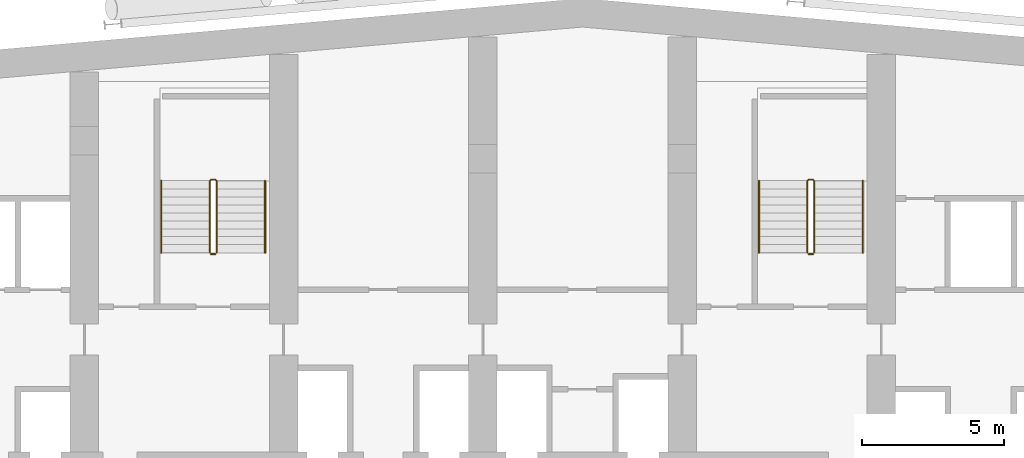
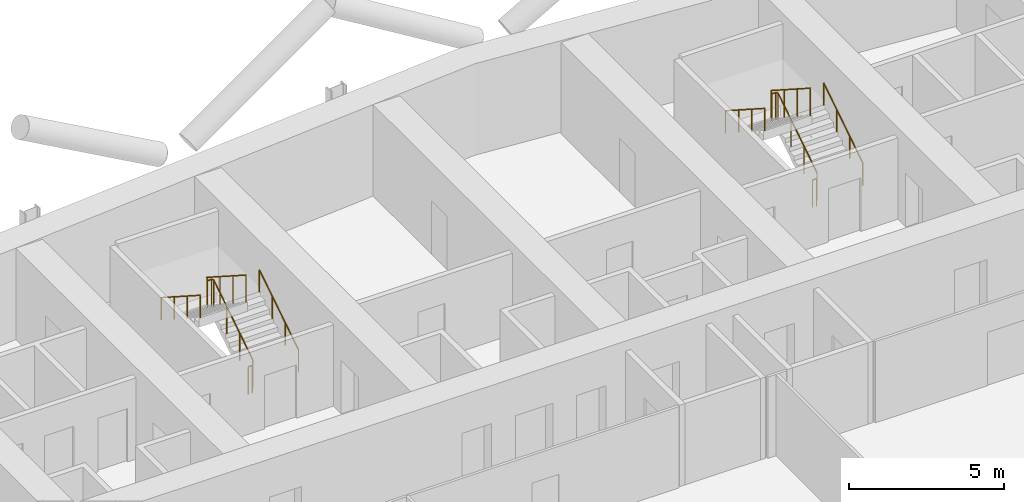
# One storey, part 27 of 28: 8 railings.
"""IFC4 building model written with IfcOpenShell, lengths in metres."""

from ifc_helpers import new_model, si_unit, direction, frame, origin, origin_2d, place, context, subcontext, project, spatial, circle, extrude, material, type_object, element, save


model = new_model("IFC4")

# Units and contexts
model_context = context("Model", 3, precision=1e-05, world=origin(), true_north=direction((0.0, 1.0)))
body_context = subcontext(model_context, "Body", "Model", "MODEL_VIEW")
ifc_project = project(units=[si_unit("LENGTHUNIT", "METRE"), si_unit("AREAUNIT", "SQUARE_METRE"), si_unit("VOLUMEUNIT", "CUBIC_METRE"), si_unit("PLANEANGLEUNIT", "RADIAN"), si_unit("MASSUNIT", "GRAM", prefix="KILO")], contexts=[model_context])

# Site, building, storey
site_placement = place(None, origin())
site = spatial("IfcSite", under=ifc_project, at=site_placement, CompositionType="ELEMENT")
building_placement = place(site_placement, origin())
building = spatial("IfcBuilding", under=site, at=building_placement, Name="Wharfspan Tower", CompositionType="ELEMENT")
storey_placement = place(building_placement, frame((0.0, 0.0, 132.699951)))
storey = spatial("IfcBuildingStorey", under=building, at=storey_placement, Name="L31", CompositionType="ELEMENT", Elevation=132.699951)

# Railings
ifc_material = material(Name="Steel S355J2", Category="steel")
railing_type_1 = type_object("IfcRailingType", Name="Stair guard 1100", PredefinedType="GUARDRAIL", material=ifc_material)
railing_1_placement = place(storey_placement, frame((27.649902, 42.0, 0.179932)))
element("IfcRailing", 1, at=railing_1_placement, inside=storey, type_object=railing_type_1, Name="L31 ST1 stair guard 1", PredefinedType="GUARDRAIL", context=body_context, shape_type="SweptSolid", body=[
    extrude(circle(Radius=0.023926, at=origin_2d()), frame((0.0, 0.0, 1.076172), z_axis=(0.0, 0.841163, 0.540782), x_axis=(-1.0, 0.0, 0.0)), (0.0, 0.0, 1.0), 2.99585),
    extrude(circle(Radius=0.023926, at=origin_2d()), frame((0.0, 2.52002, 2.696289), z_axis=(-0.705376, 0.708834, 0.0), x_axis=(-0.708834, -0.705376, 0.0)), (0.0, 0.0, 1.0), 0.070557),
    extrude(circle(Radius=0.023926, at=origin_2d()), frame((-0.049805, 2.570068, 2.696289), z_axis=(-1.0, 0.0, 0.0), x_axis=(0.0, -1.0, 0.0)), (0.0, 0.0, 1.0), 0.150146),
    extrude(circle(Radius=0.023926, at=origin_2d()), frame((-0.199951, 2.570068, 2.696289), z_axis=(-0.258848, -0.258848, 0.930589), x_axis=(0.707107, -0.707107, 0.0)), (0.0, 0.0, 1.0), 0.193359),
    extrude(circle(Radius=0.023926, at=origin_2d()), frame((-0.25, 2.52002, 2.875977), z_axis=(0.0, -0.841163, 0.540782), x_axis=(1.0, 0.0, 0.0)), (0.0, 0.0, 1.0), 2.99585),
    extrude(circle(Radius=0.020996, at=origin_2d()), origin(), (0.0, 0.0, 1.0), 1.052002),
    extrude(circle(Radius=0.020996, at=origin_2d()), frame((0.0, 0.840088, 0.540039)), (0.0, 0.0, 1.0), 1.052002),
    extrude(circle(Radius=0.020996, at=origin_2d()), frame((0.0, 1.679932, 1.080078)), (0.0, 0.0, 1.0), 1.052002),
    extrude(circle(Radius=0.020996, at=origin_2d()), frame((0.0, 2.52002, 1.620117)), (0.0, 0.0, 1.0), 1.052002),
    extrude(circle(Radius=0.020996, at=origin_2d()), frame((-0.049805, 2.570068, 1.620117)), (0.0, 0.0, 1.0), 1.052002),
    extrude(circle(Radius=0.020996, at=origin_2d()), frame((-0.199951, 2.570068, 1.620117)), (0.0, 0.0, 1.0), 1.052002),
    extrude(circle(Radius=0.020996, at=origin_2d()), frame((-0.25, 2.52002, 1.800049)), (0.0, 0.0, 1.0), 1.052002),
    extrude(circle(Radius=0.020996, at=origin_2d()), frame((-0.25, 1.679932, 2.340088)), (0.0, 0.0, 1.0), 1.052002),
    extrude(circle(Radius=0.020996, at=origin_2d()), frame((-0.25, 0.840088, 2.880127)), (0.0, 0.0, 1.0), 1.052002),
    extrude(circle(Radius=0.020996, at=origin_2d()), frame((-0.25, 0.0, 3.420166)), (0.0, 0.0, 1.0), 1.052002),
])
railing_2_placement = place(storey_placement, frame((27.600098, 41.949951, 0.0)))
element("IfcRailing", 2, at=railing_2_placement, inside=storey, type_object=railing_type_1, Name="L31 ST1 stair guard 2", PredefinedType="GUARDRAIL", context=body_context, shape_type="SweptSolid", body=[
    extrude(circle(Radius=0.023926, at=origin_2d()), frame((0.0, 0.0, 1.076172), z_axis=(-1.0, 0.0, 0.0), x_axis=(0.0, -1.0, 0.0)), (0.0, 0.0, 1.0), 0.150146),
    extrude(circle(Radius=0.020996, at=origin_2d()), origin(), (0.0, 0.0, 1.0), 1.052002),
    extrude(circle(Radius=0.020996, at=origin_2d()), frame((-0.150146, 0.0, 0.0)), (0.0, 0.0, 1.0), 1.052002),
])
railing_3_placement = place(storey_placement, frame((48.649902, 42.0, 0.179932)))
element("IfcRailing", 3, at=railing_3_placement, inside=storey, type_object=railing_type_1, Name="L31 ST2 stair guard 1", PredefinedType="GUARDRAIL", context=body_context, shape_type="SweptSolid", body=[
    extrude(circle(Radius=0.023926, at=origin_2d()), frame((0.0, 0.0, 1.076172), z_axis=(0.0, 0.841163, 0.540782), x_axis=(-1.0, 0.0, 0.0)), (0.0, 0.0, 1.0), 2.99585),
    extrude(circle(Radius=0.023926, at=origin_2d()), frame((0.0, 2.52002, 2.696289), z_axis=(-0.705376, 0.708834, 0.0), x_axis=(-0.708834, -0.705376, 0.0)), (0.0, 0.0, 1.0), 0.070557),
    extrude(circle(Radius=0.023926, at=origin_2d()), frame((-0.049805, 2.570068, 2.696289), z_axis=(-1.0, 0.0, 0.0), x_axis=(0.0, -1.0, 0.0)), (0.0, 0.0, 1.0), 0.150146),
    extrude(circle(Radius=0.023926, at=origin_2d()), frame((-0.199951, 2.570068, 2.696289), z_axis=(-0.258848, -0.258848, 0.930589), x_axis=(0.707107, -0.707107, 0.0)), (0.0, 0.0, 1.0), 0.193359),
    extrude(circle(Radius=0.023926, at=origin_2d()), frame((-0.25, 2.52002, 2.875977), z_axis=(0.0, -0.841163, 0.540782), x_axis=(1.0, 0.0, 0.0)), (0.0, 0.0, 1.0), 2.99585),
    extrude(circle(Radius=0.020996, at=origin_2d()), origin(), (0.0, 0.0, 1.0), 1.052002),
    extrude(circle(Radius=0.020996, at=origin_2d()), frame((0.0, 0.840088, 0.540039)), (0.0, 0.0, 1.0), 1.052002),
    extrude(circle(Radius=0.020996, at=origin_2d()), frame((0.0, 1.679932, 1.080078)), (0.0, 0.0, 1.0), 1.052002),
    extrude(circle(Radius=0.020996, at=origin_2d()), frame((0.0, 2.52002, 1.620117)), (0.0, 0.0, 1.0), 1.052002),
    extrude(circle(Radius=0.020996, at=origin_2d()), frame((-0.049805, 2.570068, 1.620117)), (0.0, 0.0, 1.0), 1.052002),
    extrude(circle(Radius=0.020996, at=origin_2d()), frame((-0.199951, 2.570068, 1.620117)), (0.0, 0.0, 1.0), 1.052002),
    extrude(circle(Radius=0.020996, at=origin_2d()), frame((-0.25, 2.52002, 1.800049)), (0.0, 0.0, 1.0), 1.052002),
    extrude(circle(Radius=0.020996, at=origin_2d()), frame((-0.25, 1.679932, 2.340088)), (0.0, 0.0, 1.0), 1.052002),
    extrude(circle(Radius=0.020996, at=origin_2d()), frame((-0.25, 0.840088, 2.880127)), (0.0, 0.0, 1.0), 1.052002),
    extrude(circle(Radius=0.020996, at=origin_2d()), frame((-0.25, 0.0, 3.420166)), (0.0, 0.0, 1.0), 1.052002),
])
railing_4_placement = place(storey_placement, frame((48.600098, 41.949951, 0.0)))
element("IfcRailing", 4, at=railing_4_placement, inside=storey, type_object=railing_type_1, Name="L31 ST2 stair guard 2", PredefinedType="GUARDRAIL", context=body_context, shape_type="SweptSolid", body=[
    extrude(circle(Radius=0.023926, at=origin_2d()), frame((0.0, 0.0, 1.076172), z_axis=(-1.0, 0.0, 0.0), x_axis=(0.0, -1.0, 0.0)), (0.0, 0.0, 1.0), 0.150146),
    extrude(circle(Radius=0.020996, at=origin_2d()), origin(), (0.0, 0.0, 1.0), 1.052002),
    extrude(circle(Radius=0.020996, at=origin_2d()), frame((-0.150146, 0.0, 0.0)), (0.0, 0.0, 1.0), 1.052002),
])
railing_type_2 = type_object("IfcRailingType", Name="Stair handrail 900", PredefinedType="HANDRAIL", material=ifc_material)
railing_5_placement = place(storey_placement, frame((29.350098, 42.0, 0.179932)))
element("IfcRailing", 5, at=railing_5_placement, inside=storey, type_object=railing_type_2, Name="L31 ST1 stair handrail 1", PredefinedType="HANDRAIL", context=body_context, shape_type="SweptSolid", body=[
    extrude(circle(Radius=0.023926, at=origin_2d()), frame((0.0, 0.0, 0.875977), z_axis=(0.0, 0.841163, 0.540782), x_axis=(-1.0, 0.0, 0.0)), (0.0, 0.0, 1.0), 2.99585),
    extrude(circle(Radius=0.020996, at=origin_2d()), origin(), (0.0, 0.0, 1.0), 0.851807),
    extrude(circle(Radius=0.020996, at=origin_2d()), frame((0.0, 0.840088, 0.540039)), (0.0, 0.0, 1.0), 0.851807),
    extrude(circle(Radius=0.020996, at=origin_2d()), frame((0.0, 1.679932, 1.080078)), (0.0, 0.0, 1.0), 0.851807),
    extrude(circle(Radius=0.020996, at=origin_2d()), frame((0.0, 2.52002, 1.620117)), (0.0, 0.0, 1.0), 0.851807),
])
railing_6_placement = place(storey_placement, frame((25.699951, 44.52002, 1.97998)))
element("IfcRailing", 6, at=railing_6_placement, inside=storey, type_object=railing_type_2, Name="L31 ST1 stair handrail 2", PredefinedType="HANDRAIL", context=body_context, shape_type="SweptSolid", body=[
    extrude(circle(Radius=0.023926, at=origin_2d()), frame((0.0, 0.0, 0.875977), z_axis=(0.0, -0.841163, 0.540782), x_axis=(1.0, 0.0, 0.0)), (0.0, 0.0, 1.0), 2.99585),
    extrude(circle(Radius=0.020996, at=origin_2d()), origin(), (0.0, 0.0, 1.0), 0.851807),
    extrude(circle(Radius=0.020996, at=origin_2d()), frame((0.0, -0.840088, 0.540039)), (0.0, 0.0, 1.0), 0.851807),
    extrude(circle(Radius=0.020996, at=origin_2d()), frame((0.0, -1.679932, 1.080078)), (0.0, 0.0, 1.0), 0.851807),
    extrude(circle(Radius=0.020996, at=origin_2d()), frame((0.0, -2.52002, 1.620117)), (0.0, 0.0, 1.0), 0.851807),
])
railing_7_placement = place(storey_placement, frame((50.350098, 42.0, 0.179932)))
element("IfcRailing", 7, at=railing_7_placement, inside=storey, type_object=railing_type_2, Name="L31 ST2 stair handrail 1", PredefinedType="HANDRAIL", context=body_context, shape_type="SweptSolid", body=[
    extrude(circle(Radius=0.023926, at=origin_2d()), frame((0.0, 0.0, 0.875977), z_axis=(0.0, 0.841163, 0.540782), x_axis=(-1.0, 0.0, 0.0)), (0.0, 0.0, 1.0), 2.99585),
    extrude(circle(Radius=0.020996, at=origin_2d()), origin(), (0.0, 0.0, 1.0), 0.851807),
    extrude(circle(Radius=0.020996, at=origin_2d()), frame((0.0, 0.840088, 0.540039)), (0.0, 0.0, 1.0), 0.851807),
    extrude(circle(Radius=0.020996, at=origin_2d()), frame((0.0, 1.679932, 1.080078)), (0.0, 0.0, 1.0), 0.851807),
    extrude(circle(Radius=0.020996, at=origin_2d()), frame((0.0, 2.52002, 1.620117)), (0.0, 0.0, 1.0), 0.851807),
])
railing_8_placement = place(storey_placement, frame((46.699951, 44.52002, 1.97998)))
element("IfcRailing", 8, at=railing_8_placement, inside=storey, type_object=railing_type_2, Name="L31 ST2 stair handrail 2", PredefinedType="HANDRAIL", context=body_context, shape_type="SweptSolid", body=[
    extrude(circle(Radius=0.023926, at=origin_2d()), frame((0.0, 0.0, 0.875977), z_axis=(0.0, -0.841163, 0.540782), x_axis=(1.0, 0.0, 0.0)), (0.0, 0.0, 1.0), 2.99585),
    extrude(circle(Radius=0.020996, at=origin_2d()), origin(), (0.0, 0.0, 1.0), 0.851807),
    extrude(circle(Radius=0.020996, at=origin_2d()), frame((0.0, -0.840088, 0.540039)), (0.0, 0.0, 1.0), 0.851807),
    extrude(circle(Radius=0.020996, at=origin_2d()), frame((0.0, -1.679932, 1.080078)), (0.0, 0.0, 1.0), 0.851807),
    extrude(circle(Radius=0.020996, at=origin_2d()), frame((0.0, -2.52002, 1.620117)), (0.0, 0.0, 1.0), 0.851807),
])

save(model, "model.ifc")
